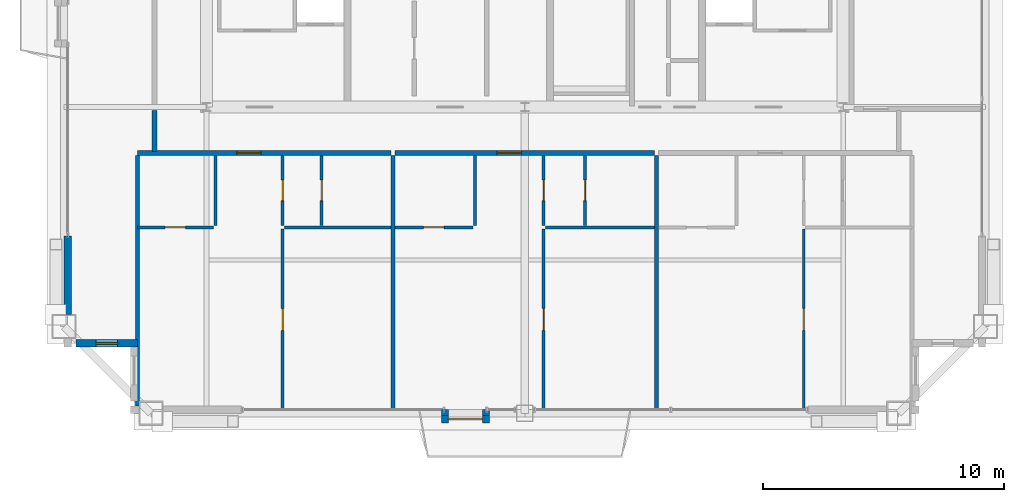
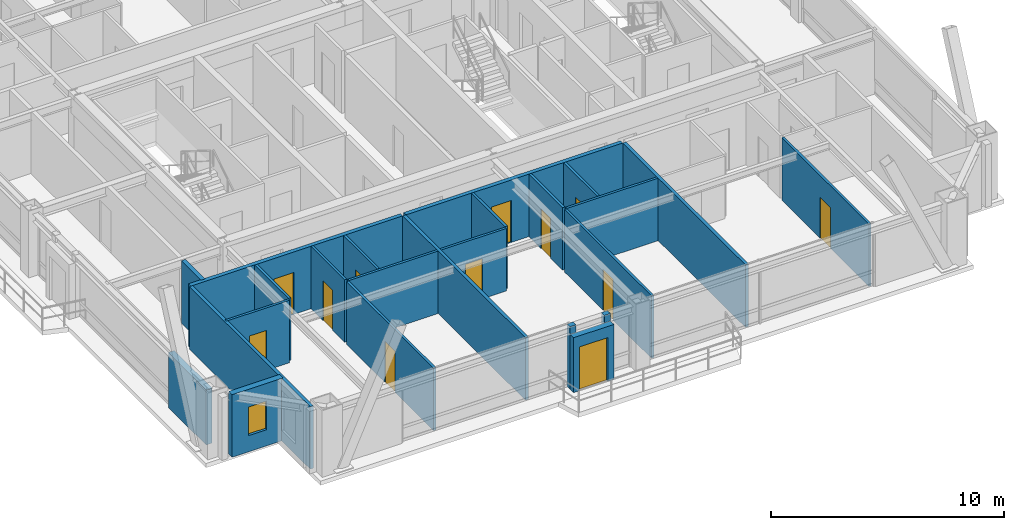
# One storey, part 28 of 33: 24 walls, 12 doors, 1 window, 13 openings.
"""IFC4 building model written with IfcOpenShell, lengths in metres."""

from ifc_helpers import new_model, si_unit, direction, frame, frame_2d, origin, place, context, subcontext, project, spatial, rectangle, extrude, source, transform, mapped, material, layer, layer_set, type_object, element, fill, save


model = new_model("IFC4")

# Units and contexts
model_context = context("Model", 3, precision=1e-05, world=origin(), true_north=direction((0.0, 1.0)))
body_context = subcontext(model_context, "Body", "Model", "MODEL_VIEW")
ifc_project = project(units=[si_unit("LENGTHUNIT", "METRE"), si_unit("AREAUNIT", "SQUARE_METRE"), si_unit("VOLUMEUNIT", "CUBIC_METRE"), si_unit("PLANEANGLEUNIT", "RADIAN"), si_unit("MASSUNIT", "GRAM", prefix="KILO"), si_unit("THERMODYNAMICTEMPERATUREUNIT", "KELVIN"), si_unit("POWERUNIT", "WATT")], contexts=[model_context])

# Site, building, storey
site_placement = place(None, origin())
site = spatial("IfcSite", under=ifc_project, at=site_placement, CompositionType="ELEMENT")
building_placement = place(site_placement, origin())
building = spatial("IfcBuilding", under=site, at=building_placement, Name="Yuzanri Waterfront Tower", CompositionType="ELEMENT")
storey_placement = place(building_placement, frame((0.0, 0.0, 292.60009765625)))
storey = spatial("IfcBuildingStorey", under=building, at=storey_placement, Name="L78", CompositionType="ELEMENT", Elevation=292.60009765625)

# Wall, opening, door
ifc_material_1 = material(Name="Moisture-Resistant Gypsum Stud Wall", Category="gypsum")
ifc_layer_1 = layer(ifc_material_1, 0.1201171875)
ifc_layer_set_1 = layer_set([ifc_layer_1], Name="Moisture-Resistant Gypsum Stud Wall")
wall_type_1 = type_object("IfcWallType", Name="Bathroom and Kitchen Wet Partition 120", PredefinedType="PARTITIONING", material=ifc_layer_set_1)
wall_1_placement = place(storey_placement, frame((20.93994140625, 14.409912109375, 0.0), z_axis=(0.0, 0.0, 1.0), x_axis=(1.0, 0.0, 0.0)))
wall_1 = element("IfcWall", 1, at=wall_1_placement, inside=storey, type_object=wall_type_1, Name="L78 Partition UW-L78-HS1-SUB-1-S", PredefinedType="PARTITIONING", context=body_context, shape_type="SweptSolid", body=[
    extrude(rectangle(XDim=3.156005859375, YDim=0.1201171875, at=frame_2d((1.578125, 0.0))), origin(), (0.0, 0.0, 1.0), 3.27978515625),
])
opening_1_placement = place(wall_1_placement, frame((1.153076171875, 0.0, 0.0)))
opening_1 = element("IfcOpeningElement", 2, at=opening_1_placement, cuts=wall_1, Name="Opening ID-0850", PredefinedType="OPENING", context=body_context, shape_type="SweptSolid", body=[
    extrude(rectangle(XDim=0.85009765625, YDim=2.10009765625, at=frame_2d((0.425048828125, 1.050048828125))), frame((0.0, 0.074951171875, 0.0), z_axis=(0.0, -1.0, 0.0), x_axis=(1.0, 0.0, 0.0)), (0.0, 0.0, 1.0), 0.14990234375),
])
ifc_material_2 = material(Name="Moisture-Resistant Lacquered Timber", Category="wood")
door_type_1 = type_object("IfcDoorType", Name="En-Suite Bathroom and Kitchen Swing Door 850x2100", OperationType="NOTDEFINED", PredefinedType="DOOR", material=ifc_material_2)
shared_shape_1 = source(origin(), body_context, "Body", "SweptSolid", [
    extrude(rectangle(XDim=0.85009765625, YDim=2.10009765625, at=frame_2d((0.425048828125, 1.050048828125))), frame((0.0, 0.02490234375, 0.0), z_axis=(0.0, -1.0, 0.0), x_axis=(1.0, 0.0, 0.0)), (0.0, 0.0, 1.0), 0.050048828125),
])
door_1_placement = place(opening_1_placement, origin())
door_1 = element("IfcDoor", 3, at=door_1_placement, inside=storey, type_object=door_type_1, Name="L78 Suite Interior Room Door", OperationType="SINGLE_SWING_LEFT", OverallHeight=2.10009765625, OverallWidth=0.85009765625, PredefinedType="DOOR", context=body_context, shape_type="MappedRepresentation", body=[
    mapped(shared_shape_1, transform((0.0, 0.0, 0.0), scale=1.0)),
])
fill(opening_1, door_1)

wall_2_placement = place(storey_placement, frame((28.580078125, 14.489990234375, 0.0), z_axis=(0.0, 0.0, 1.0), x_axis=(0.0, 1.0, 0.0)))
wall_2 = element("IfcWall", 4, at=wall_2_placement, inside=storey, type_object=wall_type_1, Name="L78 Partition UW-L78-HS1-SUB-2-W", PredefinedType="PARTITIONING", context=body_context, shape_type="SweptSolid", body=[
    extrude(rectangle(XDim=2.89990234375, YDim=0.1201171875, at=frame_2d((1.449951171875, 0.0))), origin(), (0.0, 0.0, 1.0), 3.27978515625),
])
opening_2_placement = place(wall_2_placement, frame((1.02490234375, 0.0, 0.0)))
opening_2 = element("IfcOpeningElement", 5, at=opening_2_placement, cuts=wall_2, Name="Opening ID-0850", PredefinedType="OPENING", context=body_context, shape_type="SweptSolid", body=[
    extrude(rectangle(XDim=0.85009765625, YDim=2.10009765625, at=frame_2d((0.425048828125, 1.050048828125))), frame((0.0, 0.074951171875, 0.0), z_axis=(0.0, -1.0, 0.0), x_axis=(1.0, 0.0, 0.0)), (0.0, 0.0, 1.0), 0.14990234375),
])
door_2_placement = place(opening_2_placement, origin())
door_2 = element("IfcDoor", 6, at=door_2_placement, inside=storey, type_object=door_type_1, Name="L78 Suite Interior Room Door", OperationType="SINGLE_SWING_RIGHT", OverallHeight=2.10009765625, OverallWidth=0.85009765625, PredefinedType="DOOR", context=body_context, shape_type="MappedRepresentation", body=[
    mapped(shared_shape_1, transform((0.0, 0.0, 0.0), scale=1.0)),
])
fill(opening_2, door_2)

wall_3_placement = place(storey_placement, frame((26.9619140625, 6.85009765625, 0.0), z_axis=(0.0, 0.0, 1.0), x_axis=(0.0, 1.0, 0.0)))
wall_3 = element("IfcWall", 7, at=wall_3_placement, inside=storey, type_object=wall_type_1, Name="L78 Partition UW-L78-HS1-SUB-3-W", PredefinedType="PARTITIONING", context=body_context, shape_type="SweptSolid", body=[
    extrude(rectangle(XDim=7.47998046875, YDim=0.1201171875, at=frame_2d((3.739990234375, 0.0))), origin(), (0.0, 0.0, 1.0), 3.27978515625),
])
opening_3_placement = place(wall_3_placement, frame((3.2900390625, 0.0, 0.0)))
opening_3 = element("IfcOpeningElement", 8, at=opening_3_placement, cuts=wall_3, Name="Opening ID-0900", PredefinedType="OPENING", context=body_context, shape_type="SweptSolid", body=[
    extrude(rectangle(XDim=0.89990234375, YDim=2.14990234375, at=frame_2d((0.449951171875, 1.074951171875))), frame((0.0, 0.074951171875, 0.0), z_axis=(0.0, -1.0, 0.0), x_axis=(1.0, 0.0, 0.0)), (0.0, 0.0, 1.0), 0.14990234375),
])
ifc_material_3 = material(Name="Stained Walnut Veneer Timber", Category="wood")
door_type_2 = type_object("IfcDoorType", Name="Bedroom and Study Interior Swing Door 900x2150", OperationType="NOTDEFINED", PredefinedType="DOOR", material=ifc_material_3)
shared_shape_2 = source(origin(), body_context, "Body", "SweptSolid", [
    extrude(rectangle(XDim=0.89990234375, YDim=2.14990234375, at=frame_2d((0.449951171875, 1.074951171875))), frame((0.0, 0.02490234375, 0.0), z_axis=(0.0, -1.0, 0.0), x_axis=(1.0, 0.0, 0.0)), (0.0, 0.0, 1.0), 0.050048828125),
])
door_3_placement = place(opening_3_placement, origin())
door_3 = element("IfcDoor", 9, at=door_3_placement, inside=storey, type_object=door_type_2, Name="L78 Suite Interior Room Door", OperationType="SINGLE_SWING_LEFT", OverallHeight=2.14990234375, OverallWidth=0.89990234375, PredefinedType="DOOR", context=body_context, shape_type="MappedRepresentation", body=[
    mapped(shared_shape_2, transform((0.0, 0.0, 0.0), scale=1.0)),
])
fill(opening_3, door_3)

wall_4_placement = place(storey_placement, frame((26.9619140625, 14.489990234375, 0.0), z_axis=(0.0, 0.0, 1.0), x_axis=(0.0, 1.0, 0.0)))
wall_4 = element("IfcWall", 10, at=wall_4_placement, inside=storey, type_object=wall_type_1, Name="L78 Partition UW-L78-HS1-SUB-4-W", PredefinedType="PARTITIONING", context=body_context, shape_type="SweptSolid", body=[
    extrude(rectangle(XDim=2.89990234375, YDim=0.1201171875, at=frame_2d((1.449951171875, 0.0))), origin(), (0.0, 0.0, 1.0), 3.27978515625),
])
opening_4_placement = place(wall_4_placement, frame((1.02490234375, 0.0, 0.0)))
opening_4 = element("IfcOpeningElement", 11, at=opening_4_placement, cuts=wall_4, Name="Opening ID-0850", PredefinedType="OPENING", context=body_context, shape_type="SweptSolid", body=[
    extrude(rectangle(XDim=0.85009765625, YDim=2.10009765625, at=frame_2d((0.425048828125, 1.050048828125))), frame((0.0, 0.074951171875, 0.0), z_axis=(0.0, -1.0, 0.0), x_axis=(1.0, 0.0, 0.0)), (0.0, 0.0, 1.0), 0.14990234375),
])
door_4_placement = place(opening_4_placement, origin())
door_4 = element("IfcDoor", 12, at=door_4_placement, inside=storey, type_object=door_type_1, Name="L78 Suite Interior Room Door", OperationType="SINGLE_SWING_RIGHT", OverallHeight=2.10009765625, OverallWidth=0.85009765625, PredefinedType="DOOR", context=body_context, shape_type="MappedRepresentation", body=[
    mapped(shared_shape_1, transform((0.0, 0.0, 0.0), scale=1.0)),
])
fill(opening_4, door_4)

wall_5_placement = place(storey_placement, frame((31.6201171875, 14.409912109375, 0.0), z_axis=(0.0, 0.0, 1.0), x_axis=(1.0, 0.0, 0.0)))
wall_5 = element("IfcWall", 13, at=wall_5_placement, inside=storey, type_object=wall_type_1, Name="L78 Partition UW-L78-HS2-SUB-1-S", PredefinedType="PARTITIONING", context=body_context, shape_type="SweptSolid", body=[
    extrude(rectangle(XDim=3.227783203125, YDim=0.1201171875, at=frame_2d((1.61376953125, 0.0))), origin(), (0.0, 0.0, 1.0), 3.27978515625),
])
opening_5_placement = place(wall_5_placement, frame((1.18896484375, 0.0, 0.0)))
opening_5 = element("IfcOpeningElement", 14, at=opening_5_placement, cuts=wall_5, Name="Opening ID-0850", PredefinedType="OPENING", context=body_context, shape_type="SweptSolid", body=[
    extrude(rectangle(XDim=0.85009765625, YDim=2.10009765625, at=frame_2d((0.425048828125, 1.050048828125))), frame((0.0, 0.074951171875, 0.0), z_axis=(0.0, -1.0, 0.0), x_axis=(1.0, 0.0, 0.0)), (0.0, 0.0, 1.0), 0.14990234375),
])
door_5_placement = place(opening_5_placement, origin())
door_5 = element("IfcDoor", 15, at=door_5_placement, inside=storey, type_object=door_type_1, Name="L78 Suite Interior Room Door", OperationType="SINGLE_SWING_RIGHT", OverallHeight=2.10009765625, OverallWidth=0.85009765625, PredefinedType="DOOR", context=body_context, shape_type="MappedRepresentation", body=[
    mapped(shared_shape_1, transform((0.0, 0.0, 0.0), scale=1.0)),
])
fill(opening_5, door_5)

wall_6_placement = place(storey_placement, frame((39.5, 14.489990234375, 0.0), z_axis=(0.0, 0.0, 1.0), x_axis=(0.0, 1.0, 0.0)))
wall_6 = element("IfcWall", 16, at=wall_6_placement, inside=storey, type_object=wall_type_1, Name="L78 Partition UW-L78-HS2-SUB-2-W", PredefinedType="PARTITIONING", context=body_context, shape_type="SweptSolid", body=[
    extrude(rectangle(XDim=2.89990234375, YDim=0.1201171875, at=frame_2d((1.449951171875, 0.0))), origin(), (0.0, 0.0, 1.0), 3.27978515625),
])
opening_6_placement = place(wall_6_placement, frame((1.02490234375, 0.0, 0.0)))
opening_6 = element("IfcOpeningElement", 17, at=opening_6_placement, cuts=wall_6, Name="Opening ID-0850", PredefinedType="OPENING", context=body_context, shape_type="SweptSolid", body=[
    extrude(rectangle(XDim=0.85009765625, YDim=2.10009765625, at=frame_2d((0.425048828125, 1.050048828125))), frame((0.0, 0.074951171875, 0.0), z_axis=(0.0, -1.0, 0.0), x_axis=(1.0, 0.0, 0.0)), (0.0, 0.0, 1.0), 0.14990234375),
])
door_6_placement = place(opening_6_placement, origin())
door_6 = element("IfcDoor", 18, at=door_6_placement, inside=storey, type_object=door_type_1, Name="L78 Suite Interior Room Door", OperationType="SINGLE_SWING_LEFT", OverallHeight=2.10009765625, OverallWidth=0.85009765625, PredefinedType="DOOR", context=body_context, shape_type="MappedRepresentation", body=[
    mapped(shared_shape_1, transform((0.0, 0.0, 0.0), scale=1.0)),
])
fill(opening_6, door_6)

wall_7_placement = place(storey_placement, frame((37.781005859375, 6.85009765625, 0.0), z_axis=(0.0, 0.0, 1.0), x_axis=(0.0, 1.0, 0.0)))
wall_7 = element("IfcWall", 19, at=wall_7_placement, inside=storey, type_object=wall_type_1, Name="L78 Partition UW-L78-HS2-SUB-3-W", PredefinedType="PARTITIONING", context=body_context, shape_type="SweptSolid", body=[
    extrude(rectangle(XDim=7.47998046875, YDim=0.1201171875, at=frame_2d((3.739990234375, 0.0))), origin(), (0.0, 0.0, 1.0), 3.27978515625),
])
opening_7_placement = place(wall_7_placement, frame((3.2900390625, 0.0, 0.0)))
opening_7 = element("IfcOpeningElement", 20, at=opening_7_placement, cuts=wall_7, Name="Opening ID-0900", PredefinedType="OPENING", context=body_context, shape_type="SweptSolid", body=[
    extrude(rectangle(XDim=0.89990234375, YDim=2.14990234375, at=frame_2d((0.449951171875, 1.074951171875))), frame((0.0, 0.074951171875, 0.0), z_axis=(0.0, -1.0, 0.0), x_axis=(1.0, 0.0, 0.0)), (0.0, 0.0, 1.0), 0.14990234375),
])
door_7_placement = place(opening_7_placement, origin())
door_7 = element("IfcDoor", 21, at=door_7_placement, inside=storey, type_object=door_type_2, Name="L78 Suite Interior Room Door", OperationType="SINGLE_SWING_RIGHT", OverallHeight=2.14990234375, OverallWidth=0.89990234375, PredefinedType="DOOR", context=body_context, shape_type="MappedRepresentation", body=[
    mapped(shared_shape_2, transform((0.0, 0.0, 0.0), scale=1.0)),
])
fill(opening_7, door_7)

wall_8_placement = place(storey_placement, frame((37.781005859375, 14.489990234375, 0.0), z_axis=(0.0, 0.0, 1.0), x_axis=(0.0, 1.0, 0.0)))
wall_8 = element("IfcWall", 22, at=wall_8_placement, inside=storey, type_object=wall_type_1, Name="L78 Partition UW-L78-HS2-SUB-4-W", PredefinedType="PARTITIONING", context=body_context, shape_type="SweptSolid", body=[
    extrude(rectangle(XDim=2.89990234375, YDim=0.1201171875, at=frame_2d((1.449951171875, 0.0))), origin(), (0.0, 0.0, 1.0), 3.27978515625),
])
opening_8_placement = place(wall_8_placement, frame((1.02490234375, 0.0, 0.0)))
opening_8 = element("IfcOpeningElement", 23, at=opening_8_placement, cuts=wall_8, Name="Opening ID-0850", PredefinedType="OPENING", context=body_context, shape_type="SweptSolid", body=[
    extrude(rectangle(XDim=0.85009765625, YDim=2.10009765625, at=frame_2d((0.425048828125, 1.050048828125))), frame((0.0, 0.074951171875, 0.0), z_axis=(0.0, -1.0, 0.0), x_axis=(1.0, 0.0, 0.0)), (0.0, 0.0, 1.0), 0.14990234375),
])
door_8_placement = place(opening_8_placement, origin())
door_8 = element("IfcDoor", 24, at=door_8_placement, inside=storey, type_object=door_type_1, Name="L78 Suite Interior Room Door", OperationType="SINGLE_SWING_LEFT", OverallHeight=2.10009765625, OverallWidth=0.85009765625, PredefinedType="DOOR", context=body_context, shape_type="MappedRepresentation", body=[
    mapped(shared_shape_1, transform((0.0, 0.0, 0.0), scale=1.0)),
])
fill(opening_8, door_8)

wall_9_placement = place(storey_placement, frame((48.56201171875, 6.85009765625, 0.0), z_axis=(0.0, 0.0, 1.0), x_axis=(0.0, 1.0, 0.0)))
wall_9 = element("IfcWall", 25, at=wall_9_placement, inside=storey, type_object=wall_type_1, Name="L78 Partition UW-L78-HS3-SUB-3-W", PredefinedType="PARTITIONING", context=body_context, shape_type="SweptSolid", body=[
    extrude(rectangle(XDim=7.47998046875, YDim=0.1201171875, at=frame_2d((3.739990234375, 0.0))), origin(), (0.0, 0.0, 1.0), 3.27978515625),
])
opening_9_placement = place(wall_9_placement, frame((3.2900390625, 0.0, 0.0)))
opening_9 = element("IfcOpeningElement", 26, at=opening_9_placement, cuts=wall_9, Name="Opening ID-0900", PredefinedType="OPENING", context=body_context, shape_type="SweptSolid", body=[
    extrude(rectangle(XDim=0.89990234375, YDim=2.14990234375, at=frame_2d((0.449951171875, 1.074951171875))), frame((0.0, 0.074951171875, 0.0), z_axis=(0.0, -1.0, 0.0), x_axis=(1.0, 0.0, 0.0)), (0.0, 0.0, 1.0), 0.14990234375),
])
door_9_placement = place(opening_9_placement, origin())
door_9 = element("IfcDoor", 27, at=door_9_placement, inside=storey, type_object=door_type_2, Name="L78 Suite Interior Room Door", OperationType="SINGLE_SWING_LEFT", OverallHeight=2.14990234375, OverallWidth=0.89990234375, PredefinedType="DOOR", context=body_context, shape_type="MappedRepresentation", body=[
    mapped(shared_shape_2, transform((0.0, 0.0, 0.0), scale=1.0)),
])
fill(opening_9, door_9)

# Wall, opening, window
ifc_material_4 = material(Name="Honed Chongqing Dark Basalt Stone", Category="masonry")
ifc_layer_2 = layer(ifc_material_4, 0.300048828125)
ifc_layer_set_2 = layer_set([ifc_layer_2], Name="Honed Chongqing Dark Basalt Stone")
wall_type_2 = type_object("IfcWallType", Name="Bronze Rainscreen Insulated Spandrel Portal Wall 300", PredefinedType="SOLIDWALL", material=ifc_layer_set_2)
wall_10_placement = place(storey_placement, frame((18.39990234375, 9.60009765625, 0.0), z_axis=(0.0, 0.0, 1.0), x_axis=(1.0, 0.0, 0.0)))
wall_10 = element("IfcWall", 28, at=wall_10_placement, inside=storey, type_object=wall_type_2, Name="L78 Notched Corner Masonry Wall SW-X", PredefinedType="SOLIDWALL", context=body_context, shape_type="SweptSolid", body=[
    extrude(rectangle(XDim=2.550048828125, YDim=0.300048828125, at=frame_2d((1.27490234375, 0.0))), origin(), (0.0, 0.0, 1.0), 3.27978515625),
])
opening_10_placement = place(wall_10_placement, frame((0.824951171875, 0.0, 0.85009765625)))
opening_10 = element("IfcOpeningElement", 29, at=opening_10_placement, cuts=wall_10, Name="Opening WN-05", PredefinedType="OPENING", context=body_context, shape_type="SweptSolid", body=[
    extrude(rectangle(XDim=0.89990234375, YDim=1.5, at=frame_2d((0.449951171875, 0.75))), frame((0.0, 0.1650390625, 0.0), z_axis=(0.0, -1.0, 0.0), x_axis=(1.0, 0.0, 0.0)), (0.0, 0.0, 1.0), 0.329833984375),
])
ifc_material_5 = material(Name="Double-Silver Low-E Insulated Glass", Category="glass")
window_type = type_object("IfcWindowType", Name="Anodized Bronze Service and Stairwell Smoke-Vent Window 900x1500", PartitioningType="SINGLE_PANEL", PredefinedType="WINDOW", material=ifc_material_5)
shared_shape_3 = source(origin(), body_context, "Body", "SweptSolid", [
    extrude(rectangle(XDim=0.89990234375, YDim=1.5, at=frame_2d((0.449951171875, 0.75))), frame((0.0, 0.030029296875, 0.0), z_axis=(0.0, -1.0, 0.0), x_axis=(1.0, 0.0, 0.0)), (0.0, 0.0, 1.0), 0.06005859375),
])
window_placement = place(opening_10_placement, origin())
window = element("IfcWindow", 30, at=window_placement, inside=storey, type_object=window_type, Name="L78 Notched Corner Window SW-X", OverallHeight=1.5, OverallWidth=0.89990234375, PartitioningType="SINGLE_PANEL", PredefinedType="WINDOW", context=body_context, shape_type="MappedRepresentation", body=[
    mapped(shared_shape_3, transform((0.0, 0.0, 0.0), scale=1.0)),
])
fill(opening_10, window)

# Wall, opening, door
wall_11_placement = place(storey_placement, frame((33.537109375, 6.449951171875, 0.0), z_axis=(0.0, 0.0, 1.0), x_axis=(1.0, 0.0, 0.0)))
wall_11 = element("IfcWall", 31, at=wall_11_placement, inside=storey, type_object=wall_type_2, Name="L78 S Terrace Door Portal Wall", PredefinedType="SOLIDWALL", context=body_context, shape_type="SweptSolid", body=[
    extrude(rectangle(XDim=2.0, YDim=0.300048828125, at=frame_2d((1.0, 0.0))), origin(), (0.0, 0.0, 1.0), 2.885009765625),
])
opening_11_placement = place(wall_11_placement, frame((0.300048828125, 0.0, 0.0)))
opening_11 = element("IfcOpeningElement", 32, at=opening_11_placement, cuts=wall_11, Name="Opening TD-1400", PredefinedType="OPENING", context=body_context, shape_type="SweptSolid", body=[
    extrude(rectangle(XDim=1.39990234375, YDim=2.300048828125, at=frame_2d((0.699951171875, 1.14990234375))), frame((0.0, 0.1650390625, 0.0), z_axis=(0.0, -1.0, 0.0), x_axis=(1.0, 0.0, 0.0)), (0.0, 0.0, 1.0), 0.329833984375),
])
ifc_material_6 = material(Name="Anodized Architectural Bronze", Category="metal")
door_type_3 = type_object("IfcDoorType", Name="Anodized Bronze Balcony and Terrace Glazed Double Door 1400x2300", OperationType="NOTDEFINED", PredefinedType="DOOR", material=ifc_material_6)
shared_shape_4 = source(origin(), body_context, "Body", "SweptSolid", [
    extrude(rectangle(XDim=1.39990234375, YDim=2.300048828125, at=frame_2d((0.699951171875, 1.14990234375))), frame((0.0, 0.02490234375, 0.0), z_axis=(0.0, -1.0, 0.0), x_axis=(1.0, 0.0, 0.0)), (0.0, 0.0, 1.0), 0.050048828125),
])
door_10_placement = place(opening_11_placement, origin())
door_10 = element("IfcDoor", 33, at=door_10_placement, inside=storey, type_object=door_type_3, Name="L78 S Terrace Glazed Double Door", OperationType="DOUBLE_DOOR_SINGLE_SWING", OverallHeight=2.300048828125, OverallWidth=1.39990234375, PredefinedType="DOOR", context=body_context, shape_type="MappedRepresentation", body=[
    mapped(shared_shape_4, transform((0.0, 0.0, 0.0), scale=1.0)),
])
fill(opening_11, door_10)

ifc_material_7 = material(Name="Autoclaved Aerated Concrete Blockwork", Category="masonry")
ifc_layer_3 = layer(ifc_material_7, 0.199951171875)
ifc_layer_set_3 = layer_set([ifc_layer_3], Name="Autoclaved Aerated Concrete Blockwork")
wall_type_3 = type_object("IfcWallType", Name="Corridor and Unit Party Fire Wall 200", PredefinedType="PARTITIONING", material=ifc_layer_set_3)
wall_12_placement = place(storey_placement, frame((20.93994140625, 17.489990234375, 0.0), z_axis=(0.0, 0.0, 1.0), x_axis=(1.0, 0.0, 0.0)))
wall_12 = element("IfcWall", 34, at=wall_12_placement, inside=storey, type_object=wall_type_3, Name="L78 Partition UW-L78-HS1-CN", PredefinedType="PARTITIONING", context=body_context, shape_type="SweptSolid", body=[
    extrude(rectangle(XDim=10.52001953125, YDim=0.199951171875, at=frame_2d((5.260009765625, 0.0))), origin(), (0.0, 0.0, 1.0), 3.27978515625),
])
opening_12_placement = place(wall_12_placement, frame((4.12890625, 0.0, 0.0)))
opening_12 = element("IfcOpeningElement", 35, at=opening_12_placement, cuts=wall_12, Name="Opening FD-1000", PredefinedType="OPENING", context=body_context, shape_type="SweptSolid", body=[
    extrude(rectangle(XDim=1.0, YDim=2.199951171875, at=frame_2d((0.5, 1.10009765625))), frame((0.0, 0.11474609375, 0.0), z_axis=(0.0, -1.0, 0.0), x_axis=(1.0, 0.0, 0.0)), (0.0, 0.0, 1.0), 0.229736328125),
])
ifc_material_8 = material(Name="Engineered Oak Fire-Rated Timber", Category="wood")
door_type_4 = type_object("IfcDoorType", Name="Guestroom and Apartment Entrance Fire Door 1000x2200", OperationType="NOTDEFINED", PredefinedType="DOOR", material=ifc_material_8)
shared_shape_5 = source(origin(), body_context, "Body", "SweptSolid", [
    extrude(rectangle(XDim=1.0, YDim=2.199951171875, at=frame_2d((0.5, 1.10009765625))), frame((0.0, 0.02490234375, 0.0), z_axis=(0.0, -1.0, 0.0), x_axis=(1.0, 0.0, 0.0)), (0.0, 0.0, 1.0), 0.050048828125),
])
door_11_placement = place(opening_12_placement, origin())
door_11 = element("IfcDoor", 36, at=door_11_placement, inside=storey, type_object=door_type_4, Name="L78 Apartment Living Room Entrance Door", OperationType="SINGLE_SWING_RIGHT", OverallHeight=2.199951171875, OverallWidth=1.0, PredefinedType="DOOR", context=body_context, shape_type="MappedRepresentation", body=[
    mapped(shared_shape_5, transform((0.0, 0.0, 0.0), scale=1.0)),
])
fill(opening_12, door_11)

wall_13_placement = place(storey_placement, frame((31.6201171875, 17.489990234375, 0.0), z_axis=(0.0, 0.0, 1.0), x_axis=(1.0, 0.0, 0.0)))
wall_13 = element("IfcWall", 37, at=wall_13_placement, inside=storey, type_object=wall_type_3, Name="L78 Partition UW-L78-HS2-CN", PredefinedType="PARTITIONING", context=body_context, shape_type="SweptSolid", body=[
    extrude(rectangle(XDim=10.759765625, YDim=0.199951171875, at=frame_2d((5.3798828125, 0.0))), origin(), (0.0, 0.0, 1.0), 3.27978515625),
])
opening_13_placement = place(wall_13_placement, frame((4.235107421875, 0.0, 0.0)))
opening_13 = element("IfcOpeningElement", 38, at=opening_13_placement, cuts=wall_13, Name="Opening FD-1000", PredefinedType="OPENING", context=body_context, shape_type="SweptSolid", body=[
    extrude(rectangle(XDim=1.0, YDim=2.199951171875, at=frame_2d((0.5, 1.10009765625))), frame((0.0, 0.11474609375, 0.0), z_axis=(0.0, -1.0, 0.0), x_axis=(1.0, 0.0, 0.0)), (0.0, 0.0, 1.0), 0.229736328125),
])
door_12_placement = place(opening_13_placement, origin())
door_12 = element("IfcDoor", 39, at=door_12_placement, inside=storey, type_object=door_type_4, Name="L78 Apartment Living Room Entrance Door", OperationType="SINGLE_SWING_LEFT", OverallHeight=2.199951171875, OverallWidth=1.0, PredefinedType="DOOR", context=body_context, shape_type="MappedRepresentation", body=[
    mapped(shared_shape_5, transform((0.0, 0.0, 0.0), scale=1.0)),
])
fill(opening_13, door_12)

# Walls
shared_shape_6 = source(origin(), body_context, "Body", "SweptSolid", [
    extrude(rectangle(XDim=0.25, YDim=0.300048828125, at=frame_2d((0.125, 0.0))), origin(), (0.0, 0.0, 1.0), 3.27978515625),
])
for number, where, z_axis, x_axis, name in (
    (40, (33.68701171875, 6.85009765625, 0.0), (0.0, 0.0, 1.0), (0.0, -1.0, 0.0), "L78 S Terrace Portal Left Return"),
    (41, (35.386962890625, 6.60009765625, 0.0), (0.0, 0.0, 1.0), (0.0, 1.0, 0.0), "L78 S Terrace Portal Right Return"),
):
    element("IfcWall", number, at=place(storey_placement, frame(where, z_axis=z_axis, x_axis=x_axis)), inside=storey, type_object=wall_type_2, Name=name, PredefinedType="SOLIDWALL", context=body_context, shape_type="MappedRepresentation", body=[
        mapped(shared_shape_6, transform((0.0, 0.0, 0.0), scale=1.0)),
    ])
shared_shape_7 = source(origin(), body_context, "Body", "SweptSolid", [
    extrude(rectangle(XDim=3.25, YDim=0.300048828125, at=frame_2d((1.625, 0.0))), origin(), (0.0, 0.0, 1.0), 2.885009765625),
])
wall_14_placement = place(storey_placement, frame((18.050048828125, 10.800048828125, 0.0), z_axis=(0.0, 0.0, 1.0), x_axis=(0.0, 1.0, 0.0)))
element("IfcWall", 42, at=wall_14_placement, inside=storey, type_object=wall_type_2, Name="L78 W Left Braced Masonry Shoulder", PredefinedType="SOLIDWALL", context=body_context, shape_type="MappedRepresentation", body=[
    mapped(shared_shape_7, transform((0.0, 0.0, 0.0), scale=1.0)),
])
shared_shape_8 = source(origin(), body_context, "Body", "SweptSolid", [
    extrude(rectangle(XDim=1.699951171875, YDim=0.199951171875, at=frame_2d((0.85009765625, 0.0))), origin(), (0.0, 0.0, 1.0), 3.27978515625),
])
wall_15_placement = place(storey_placement, frame((21.64990234375, 17.550048828125, 0.0), z_axis=(0.0, 0.0, 1.0), x_axis=(0.0, 1.0, 0.0)))
element("IfcWall", 43, at=wall_15_placement, inside=storey, type_object=wall_type_3, Name="L78 South Foyer West End Wall", PredefinedType="PARTITIONING", context=body_context, shape_type="MappedRepresentation", body=[
    mapped(shared_shape_8, transform((0.0, 0.0, 0.0), scale=1.0)),
])
ifc_material_9 = material(Name="Gypsum Fireboard Acoustic Stud Wall", Category="gypsum")
ifc_layer_4 = layer(ifc_material_9, 0.159912109375)
ifc_layer_set_4 = layer_set([ifc_layer_4], Name="Gypsum Fireboard Acoustic Stud Wall")
wall_type_4 = type_object("IfcWallType", Name="Acoustic Suite Demising Partition 160", PredefinedType="PARTITIONING", material=ifc_layer_set_4)
shared_shape_9 = source(origin(), body_context, "Body", "SweptSolid", [
    extrude(rectangle(XDim=10.539794921875, YDim=0.159912109375, at=frame_2d((5.27001953125, 0.0))), origin(), (0.0, 0.0, 1.0), 3.27978515625),
])
for number, where, z_axis, x_axis, name in (
    (44, (31.5400390625, 6.85009765625, 0.0), (0.0, 0.0, 1.0), (0.0, 1.0, 0.0), "L78-HS1 Party Wall"),
    (45, (42.4599609375, 6.85009765625, 0.0), (0.0, 0.0, 1.0), (0.0, 1.0, 0.0), "L78-HS2 Party Wall"),
):
    element("IfcWall", number, at=place(storey_placement, frame(where, z_axis=z_axis, x_axis=x_axis)), inside=storey, type_object=wall_type_4, Name=name, PredefinedType="PARTITIONING", context=body_context, shape_type="MappedRepresentation", body=[
        mapped(shared_shape_9, transform((0.0, 0.0, 0.0), scale=1.0)),
    ])
shared_shape_10 = source(origin(), body_context, "Body", "SweptSolid", [
    extrude(rectangle(XDim=2.89990234375, YDim=0.1201171875, at=frame_2d((1.449951171875, 0.0))), origin(), (0.0, 0.0, 1.0), 3.27978515625),
])
for number, where, z_axis, x_axis, name in (
    (46, (24.176025390625, 14.489990234375, 0.0), (0.0, 0.0, 1.0), (0.0, 1.0, 0.0), "L78 Partition UW-L78-HS1-SUB-1-E"),
    (47, (34.927978515625, 14.489990234375, 0.0), (0.0, 0.0, 1.0), (0.0, 1.0, 0.0), "L78 Partition UW-L78-HS2-SUB-1-E"),
):
    element("IfcWall", number, at=place(storey_placement, frame(where, z_axis=z_axis, x_axis=x_axis)), inside=storey, type_object=wall_type_1, Name=name, PredefinedType="PARTITIONING", context=body_context, shape_type="MappedRepresentation", body=[
        mapped(shared_shape_10, transform((0.0, 0.0, 0.0), scale=1.0)),
    ])
shared_shape_11 = source(origin(), body_context, "Body", "SweptSolid", [
    extrude(rectangle(XDim=4.41796875, YDim=0.1201171875, at=frame_2d((2.208984375, 0.0))), origin(), (0.0, 0.0, 1.0), 3.27978515625),
])
wall_16_placement = place(storey_placement, frame((27.0419921875, 14.409912109375, 0.0), z_axis=(0.0, 0.0, 1.0), x_axis=(1.0, 0.0, 0.0)))
element("IfcWall", 48, at=wall_16_placement, inside=storey, type_object=wall_type_1, Name="L78 Partition UW-L78-HS1-SUB-3-N", PredefinedType="PARTITIONING", context=body_context, shape_type="MappedRepresentation", body=[
    mapped(shared_shape_11, transform((0.0, 0.0, 0.0), scale=1.0)),
])
shared_shape_12 = source(origin(), body_context, "Body", "SweptSolid", [
    extrude(rectangle(XDim=4.518798828125, YDim=0.1201171875, at=frame_2d((2.25927734375, 0.0))), origin(), (0.0, 0.0, 1.0), 3.27978515625),
])
wall_17_placement = place(storey_placement, frame((37.861083984375, 14.409912109375, 0.0), z_axis=(0.0, 0.0, 1.0), x_axis=(1.0, 0.0, 0.0)))
element("IfcWall", 49, at=wall_17_placement, inside=storey, type_object=wall_type_1, Name="L78 Partition UW-L78-HS2-SUB-3-N", PredefinedType="PARTITIONING", context=body_context, shape_type="MappedRepresentation", body=[
    mapped(shared_shape_12, transform((0.0, 0.0, 0.0), scale=1.0)),
])
shared_shape_13 = source(origin(), body_context, "Body", "SweptSolid", [
    extrude(rectangle(XDim=10.389892578125, YDim=0.159912109375, at=frame_2d((5.19482421875, 0.0))), origin(), (0.0, 0.0, 1.0), 3.27978515625),
])
wall_18_placement = place(storey_placement, frame((20.949951171875, 7.0, 0.0), z_axis=(0.0, 0.0, 1.0), x_axis=(0.0, 1.0, 0.0)))
element("IfcWall", 50, at=wall_18_placement, inside=storey, type_object=wall_type_4, Name="L78 South Band West End Wall", PredefinedType="PARTITIONING", context=body_context, shape_type="MappedRepresentation", body=[
    mapped(shared_shape_13, transform((0.0, 0.0, 0.0), scale=1.0)),
])

save(model, "model.ifc")
